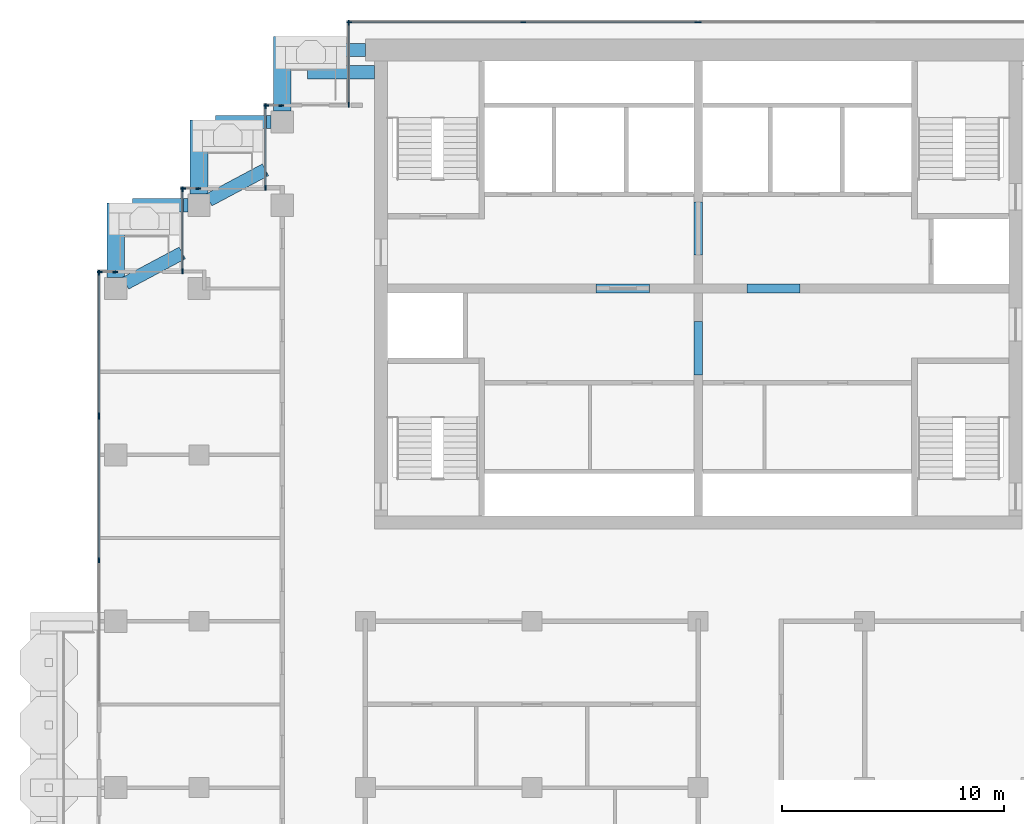
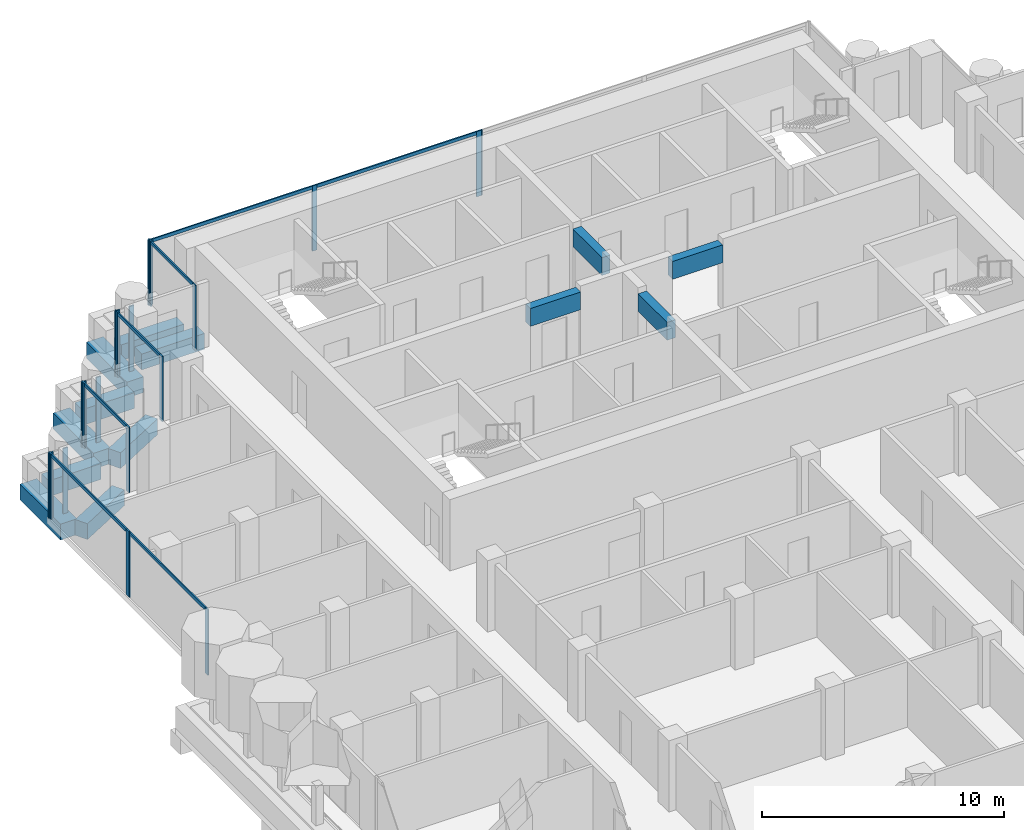
# One storey, part 5 of 19: 27 members, 13 beams, 10 elements without a shape of their own.
"""IFC4 building model written with IfcOpenShell, lengths in metres."""

from ifc_helpers import new_model, si_unit, direction, frame, origin, origin_2d, place, context, subcontext, project, spatial, rectangle, extrude, material, material_profile, profile_set, type_object, element, aggregate, save


model = new_model("IFC4")

# Units and contexts
model_context = context("Model", 3, precision=1e-05, world=origin(), true_north=direction((0.0, 1.0)))
body_context = subcontext(model_context, "Body", "Model", "MODEL_VIEW")
ifc_project = project(units=[si_unit("LENGTHUNIT", "METRE"), si_unit("AREAUNIT", "SQUARE_METRE"), si_unit("VOLUMEUNIT", "CUBIC_METRE"), si_unit("PLANEANGLEUNIT", "RADIAN"), si_unit("MASSUNIT", "GRAM", prefix="KILO")], contexts=[model_context])

# Site, building, storey
site_placement = place(None, origin())
site = spatial("IfcSite", under=ifc_project, at=site_placement, CompositionType="ELEMENT")
building_placement = place(site_placement, origin())
building = spatial("IfcBuilding", under=site, at=building_placement, Name="Pilkhan Gate Tower", CompositionType="ELEMENT")
storey_placement = place(building_placement, frame((0.0, 0.0, 224.699951171875)))
storey = spatial("IfcBuildingStorey", under=building, at=storey_placement, Name="L58", CompositionType="ELEMENT", Elevation=224.699951171875)

# Beams
ifc_material_1 = material(Name="Concrete C50/60", Category="concrete")
ifc_material_profile_1 = material_profile(ifc_material_1, rectangle(XDim=0.60009765625, YDim=0.800048828125, at=origin_2d()), Name="RC 600x800")
ifc_profile_set_1 = profile_set([ifc_material_profile_1], Name="Concrete C50/60")
beam_type_1 = type_object("IfcBeamType", Name="Cantilever beam CB1 RC 600x800 C50/60", PredefinedType="BEAM", material=ifc_profile_set_1)
for number, where, z_axis, x_axis, name in (
    (1, (60.0, 93.25, -0.699951171875), (-1.0, 0.0, 0.0), (0.0, -1.0, 0.0), "Balcony beam NW.2 L58"),
    (2, (60.39990234375, 92.25, -0.699951171875), (-1.0, 0.0, 0.0), (0.0, -1.0, 0.0), "Balcony beam NW.3 L58"),
):
    element("IfcBeam", number, at=place(storey_placement, frame(where, z_axis=z_axis, x_axis=x_axis)), inside=storey, type_object=beam_type_1, Name=name, PredefinedType="BEAM", context=body_context, shape_type="SweptSolid", body=[
        extrude(rectangle(XDim=0.60009765625, YDim=0.800048828125, at=origin_2d()), origin(), (0.0, 0.0, 1.0), 3.0),
    ])
beam_1_placement = place(storey_placement, frame((55.75, 90.0, -0.699951171875), z_axis=(-1.0, 0.0, 0.0), x_axis=(0.0, -1.0, 0.0)))
element("IfcBeam", 3, at=beam_1_placement, inside=storey, type_object=beam_type_1, Name="Balcony beam NW1.2 L58", PredefinedType="BEAM", context=body_context, shape_type="SweptSolid", body=[
    extrude(rectangle(XDim=0.60009765625, YDim=0.800048828125, at=origin_2d()), origin(), (0.0, 0.0, 1.0), 2.5),
])
beam_2_placement = place(storey_placement, frame((52.941162109375, 86.4853515625, -0.699951171875), z_axis=(0.882348280344, 0.470596974251, 0.0), x_axis=(-0.470596974251, 0.882348280344, 0.0)))
element("IfcBeam", 4, at=beam_2_placement, inside=storey, type_object=beam_type_1, Name="Balcony beam NW1.3 L58", PredefinedType="BEAM", context=body_context, shape_type="SweptSolid", body=[
    extrude(rectangle(XDim=0.60009765625, YDim=0.800048828125, at=origin_2d()), origin(), (0.0, 0.0, 1.0), 2.900146484375),
])
beam_3_placement = place(storey_placement, frame((52.0, 86.25, -0.699951171875), z_axis=(-1.0, 0.0, 0.0), x_axis=(0.0, -1.0, 0.0)))
element("IfcBeam", 5, at=beam_3_placement, inside=storey, type_object=beam_type_1, Name="Balcony beam NW2.2 L58", PredefinedType="BEAM", context=body_context, shape_type="SweptSolid", body=[
    extrude(rectangle(XDim=0.60009765625, YDim=0.800048828125, at=origin_2d()), origin(), (0.0, 0.0, 1.0), 2.5),
])
beam_4_placement = place(storey_placement, frame((49.191162109375, 82.7353515625, -0.699951171875), z_axis=(0.882348280344, 0.470596974251, 0.0), x_axis=(-0.470596974251, 0.882348280344, 0.0)))
element("IfcBeam", 6, at=beam_4_placement, inside=storey, type_object=beam_type_1, Name="Balcony beam NW2.3 L58", PredefinedType="BEAM", context=body_context, shape_type="SweptSolid", body=[
    extrude(rectangle(XDim=0.60009765625, YDim=0.800048828125, at=origin_2d()), origin(), (0.0, 0.0, 1.0), 2.900146484375),
])
ifc_material_profile_2 = material_profile(ifc_material_1, rectangle(XDim=0.800048828125, YDim=0.800048828125, at=origin_2d()), Name="RC 800x800")
ifc_profile_set_2 = profile_set([ifc_material_profile_2], Name="Concrete C50/60")
beam_type_2 = type_object("IfcBeamType", Name="Cantilever beam CB2 RC 800x800 C50/60", PredefinedType="BEAM", material=ifc_profile_set_2)
for number, where, z_axis, x_axis, name in (
    (7, (56.25, 90.5, -0.699951171875), (0.0, 1.0, 0.0), (-1.0, 0.0, 0.0), "Balcony beam NW.1 L58"),
    (8, (52.5, 86.75, -0.699951171875), (0.0, 1.0, 0.0), (-1.0, 0.0, 0.0), "Balcony beam NW1.1 L58"),
    (9, (48.75, 83.0, -0.699951171875), (0.0, 1.0, 0.0), (-1.0, 0.0, 0.0), "Balcony beam NW2.1 L58"),
):
    element("IfcBeam", number, at=place(storey_placement, frame(where, z_axis=z_axis, x_axis=x_axis)), inside=storey, type_object=beam_type_2, Name=name, PredefinedType="BEAM", context=body_context, shape_type="SweptSolid", body=[
        extrude(rectangle(XDim=0.800048828125, YDim=0.800048828125, at=origin_2d()), origin(), (0.0, 0.0, 1.0), 3.35009765625),
    ])
ifc_material_profile_3 = material_profile(ifc_material_1, rectangle(XDim=0.39990234375, YDim=0.89990234375, at=origin_2d()), Name="RC 400x900")
ifc_profile_set_3 = profile_set([ifc_material_profile_3], Name="Concrete C50/60")
beam_type_3 = type_object("IfcBeamType", Name="Coupling beam CB90-4 RC 400x900 C50/60", PredefinedType="LINTEL", material=ifc_profile_set_3)
for number, where, z_axis, x_axis, name in (
    (10, (70.39990234375, 82.5, 2.85009765625), (1.0, 0.0, 0.0), (0.0, 1.0, 0.0), "Coupling beam 1 L58"),
    (11, (77.199951171875, 82.5, 2.85009765625), (1.0, 0.0, 0.0), (0.0, 1.0, 0.0), "Coupling beam 2 L58"),
):
    element("IfcBeam", number, at=place(storey_placement, frame(where, z_axis=z_axis, x_axis=x_axis)), inside=storey, type_object=beam_type_3, Name=name, PredefinedType="LINTEL", context=body_context, shape_type="SweptSolid", body=[
        extrude(rectangle(XDim=0.39990234375, YDim=0.89990234375, at=origin_2d()), origin(), (0.0, 0.0, 1.0), 2.400146484375),
    ])
for number, where, z_axis, x_axis, name in (
    (12, (75.0, 78.60009765625, 2.85009765625), (0.0, 1.0, 0.0), (-1.0, 0.0, 0.0), "Coupling beam 3 L58"),
    (13, (75.0, 84.0, 2.85009765625), (0.0, 1.0, 0.0), (-1.0, 0.0, 0.0), "Coupling beam 4 L58"),
):
    element("IfcBeam", number, at=place(storey_placement, frame(where, z_axis=z_axis, x_axis=x_axis)), inside=storey, type_object=beam_type_3, Name=name, PredefinedType="LINTEL", context=body_context, shape_type="SweptSolid", body=[
        extrude(rectangle(XDim=0.39990234375, YDim=0.89990234375, at=origin_2d()), origin(), (0.0, 0.0, 1.0), 2.39990234375),
    ])

# Curtain wall, members
ifc_material_2 = material(Name="Pale anodised aluminium, clear low-iron double glazing", Category="aluminium")
curtain_wall_type = type_object("IfcCurtainWallType", Name="Office unitised curtain wall CW-O2", PredefinedType="USERDEFINED", material=ifc_material_2)
curtain_wall_1_placement = place(storey_placement, origin())
curtain_wall_1 = element("IfcCurtainWall", 14, at=curtain_wall_1_placement, inside=storey, type_object=curtain_wall_type, Name="Office unitised curtain wall CW-O2 L58 N", ObjectType="UNITISED CURTAIN WALL", PredefinedType="USERDEFINED")
ifc_material_3 = material(Name="Pale anodised aluminium", Category="aluminium")
ifc_material_profile_4 = material_profile(ifc_material_3, rectangle(XDim=0.06494140625, YDim=0.22509765625, at=origin_2d()), Name="Mullion 225x65")
ifc_profile_set_4 = profile_set([ifc_material_profile_4], Name="Pale anodised aluminium")
member_type_1 = type_object("IfcMemberType", Name="Mullion CW-O2 225x65", PredefinedType="MULLION", material=ifc_profile_set_4)
member_1_placement = place(storey_placement, frame((59.282470703125, 94.5, 0.0), z_axis=(0.0, 0.0, 1.0), x_axis=(0.0, 1.0, 0.0)))
member_1 = element("IfcMember", 15, at=member_1_placement, type_object=member_type_1, Name="CW-O2 mullion 1", PredefinedType="MULLION", context=body_context, shape_type="SweptSolid", body=[
    extrude(rectangle(XDim=0.06494140625, YDim=0.22509765625, at=origin_2d()), origin(), (0.0, 0.0, 1.0), 3.300048828125),
])
member_2_placement = place(storey_placement, frame((67.125, 94.5, 0.0), z_axis=(0.0, 0.0, 1.0), x_axis=(0.0, 1.0, 0.0)))
member_2 = element("IfcMember", 16, at=member_2_placement, type_object=member_type_1, Name="CW-O2 mullion 2", PredefinedType="MULLION", context=body_context, shape_type="SweptSolid", body=[
    extrude(rectangle(XDim=0.06494140625, YDim=0.22509765625, at=origin_2d()), origin(), (0.0, 0.0, 1.0), 3.300048828125),
])
member_3_placement = place(storey_placement, frame((74.967529296875, 94.5, 0.0), z_axis=(0.0, 0.0, 1.0), x_axis=(0.0, 1.0, 0.0)))
member_3 = element("IfcMember", 17, at=member_3_placement, type_object=member_type_1, Name="CW-O2 mullion 3", PredefinedType="MULLION", context=body_context, shape_type="SweptSolid", body=[
    extrude(rectangle(XDim=0.06494140625, YDim=0.22509765625, at=origin_2d()), origin(), (0.0, 0.0, 1.0), 3.300048828125),
])

# Curtain wall, member
curtain_wall_2_placement = place(storey_placement, origin())
curtain_wall_2 = element("IfcCurtainWall", 18, at=curtain_wall_2_placement, inside=storey, type_object=curtain_wall_type, Name="Office unitised curtain wall CW-O2 L58 N", ObjectType="UNITISED CURTAIN WALL", PredefinedType="USERDEFINED")
member_4_placement = place(storey_placement, frame((75.032470703125, 94.5, 0.0), z_axis=(0.0, 0.0, 1.0), x_axis=(0.0, 1.0, 0.0)))
member_4 = element("IfcMember", 19, at=member_4_placement, type_object=member_type_1, Name="CW-O2 mullion 1", PredefinedType="MULLION", context=body_context, shape_type="SweptSolid", body=[
    extrude(rectangle(XDim=0.06494140625, YDim=0.22509765625, at=origin_2d()), origin(), (0.0, 0.0, 1.0), 3.300048828125),
])
aggregate(curtain_wall_2, [member_4])

# Curtain wall, members
curtain_wall_3_placement = place(storey_placement, origin())
curtain_wall_3 = element("IfcCurtainWall", 20, at=curtain_wall_3_placement, inside=storey, type_object=curtain_wall_type, Name="Office unitised curtain wall CW-O2 L58 W", ObjectType="UNITISED CURTAIN WALL", PredefinedType="USERDEFINED")
member_5_placement = place(storey_placement, frame((59.25, 90.782470703125, 0.0), z_axis=(0.0, 0.0, 1.0), x_axis=(-1.0, 0.0, 0.0)))
member_5 = element("IfcMember", 21, at=member_5_placement, type_object=member_type_1, Name="CW-O2 mullion 1", PredefinedType="MULLION", context=body_context, shape_type="SweptSolid", body=[
    extrude(rectangle(XDim=0.06494140625, YDim=0.22509765625, at=origin_2d()), origin(), (0.0, 0.0, 1.0), 3.300048828125),
])
member_6_placement = place(storey_placement, frame((59.25, 94.467529296875, 0.0), z_axis=(0.0, 0.0, 1.0), x_axis=(-1.0, 0.0, 0.0)))
member_6 = element("IfcMember", 22, at=member_6_placement, type_object=member_type_1, Name="CW-O2 mullion 2", PredefinedType="MULLION", context=body_context, shape_type="SweptSolid", body=[
    extrude(rectangle(XDim=0.06494140625, YDim=0.22509765625, at=origin_2d()), origin(), (0.0, 0.0, 1.0), 3.300048828125),
])

curtain_wall_4_placement = place(storey_placement, origin())
curtain_wall_4 = element("IfcCurtainWall", 23, at=curtain_wall_4_placement, inside=storey, type_object=curtain_wall_type, Name="Office unitised curtain wall CW-O2 L58 N", ObjectType="UNITISED CURTAIN WALL", PredefinedType="USERDEFINED")
member_7_placement = place(storey_placement, frame((55.532470703125, 90.75, 0.0), z_axis=(0.0, 0.0, 1.0), x_axis=(0.0, 1.0, 0.0)))
member_7 = element("IfcMember", 24, at=member_7_placement, type_object=member_type_1, Name="CW-O2 mullion 1", PredefinedType="MULLION", context=body_context, shape_type="SweptSolid", body=[
    extrude(rectangle(XDim=0.06494140625, YDim=0.22509765625, at=origin_2d()), origin(), (0.0, 0.0, 1.0), 3.300048828125),
])
member_8_placement = place(storey_placement, frame((56.217529296875, 90.75, 0.0), z_axis=(0.0, 0.0, 1.0), x_axis=(0.0, 1.0, 0.0)))
member_8 = element("IfcMember", 25, at=member_8_placement, type_object=member_type_1, Name="CW-O2 mullion 2", PredefinedType="MULLION", context=body_context, shape_type="SweptSolid", body=[
    extrude(rectangle(XDim=0.06494140625, YDim=0.22509765625, at=origin_2d()), origin(), (0.0, 0.0, 1.0), 3.300048828125),
])
aggregate(curtain_wall_4, [member_7, member_8])

curtain_wall_5_placement = place(storey_placement, origin())
curtain_wall_5 = element("IfcCurtainWall", 26, at=curtain_wall_5_placement, inside=storey, type_object=curtain_wall_type, Name="Office unitised curtain wall CW-O2 L58 W", ObjectType="UNITISED CURTAIN WALL", PredefinedType="USERDEFINED")
member_9_placement = place(storey_placement, frame((55.5, 87.032470703125, 0.0), z_axis=(0.0, 0.0, 1.0), x_axis=(-1.0, 0.0, 0.0)))
member_9 = element("IfcMember", 27, at=member_9_placement, type_object=member_type_1, Name="CW-O2 mullion 1", PredefinedType="MULLION", context=body_context, shape_type="SweptSolid", body=[
    extrude(rectangle(XDim=0.06494140625, YDim=0.22509765625, at=origin_2d()), origin(), (0.0, 0.0, 1.0), 3.300048828125),
])
member_10_placement = place(storey_placement, frame((55.5, 90.717529296875, 0.0), z_axis=(0.0, 0.0, 1.0), x_axis=(-1.0, 0.0, 0.0)))
member_10 = element("IfcMember", 28, at=member_10_placement, type_object=member_type_1, Name="CW-O2 mullion 2", PredefinedType="MULLION", context=body_context, shape_type="SweptSolid", body=[
    extrude(rectangle(XDim=0.06494140625, YDim=0.22509765625, at=origin_2d()), origin(), (0.0, 0.0, 1.0), 3.300048828125),
])

curtain_wall_6_placement = place(storey_placement, origin())
curtain_wall_6 = element("IfcCurtainWall", 29, at=curtain_wall_6_placement, inside=storey, type_object=curtain_wall_type, Name="Office unitised curtain wall CW-O2 L58 N", ObjectType="UNITISED CURTAIN WALL", PredefinedType="USERDEFINED")
member_11_placement = place(storey_placement, frame((51.782470703125, 87.0, 0.0), z_axis=(0.0, 0.0, 1.0), x_axis=(0.0, 1.0, 0.0)))
member_11 = element("IfcMember", 30, at=member_11_placement, type_object=member_type_1, Name="CW-O2 mullion 1", PredefinedType="MULLION", context=body_context, shape_type="SweptSolid", body=[
    extrude(rectangle(XDim=0.06494140625, YDim=0.22509765625, at=origin_2d()), origin(), (0.0, 0.0, 1.0), 3.300048828125),
])
member_12_placement = place(storey_placement, frame((52.467529296875, 87.0, 0.0), z_axis=(0.0, 0.0, 1.0), x_axis=(0.0, 1.0, 0.0)))
member_12 = element("IfcMember", 31, at=member_12_placement, type_object=member_type_1, Name="CW-O2 mullion 2", PredefinedType="MULLION", context=body_context, shape_type="SweptSolid", body=[
    extrude(rectangle(XDim=0.06494140625, YDim=0.22509765625, at=origin_2d()), origin(), (0.0, 0.0, 1.0), 3.300048828125),
])
aggregate(curtain_wall_6, [member_11, member_12])

curtain_wall_7_placement = place(storey_placement, origin())
curtain_wall_7 = element("IfcCurtainWall", 32, at=curtain_wall_7_placement, inside=storey, type_object=curtain_wall_type, Name="Office unitised curtain wall CW-O2 L58 W", ObjectType="UNITISED CURTAIN WALL", PredefinedType="USERDEFINED")
member_13_placement = place(storey_placement, frame((51.75, 83.282470703125, 0.0), z_axis=(0.0, 0.0, 1.0), x_axis=(-1.0, 0.0, 0.0)))
member_13 = element("IfcMember", 33, at=member_13_placement, type_object=member_type_1, Name="CW-O2 mullion 1", PredefinedType="MULLION", context=body_context, shape_type="SweptSolid", body=[
    extrude(rectangle(XDim=0.06494140625, YDim=0.22509765625, at=origin_2d()), origin(), (0.0, 0.0, 1.0), 3.300048828125),
])
member_14_placement = place(storey_placement, frame((51.75, 86.967529296875, 0.0), z_axis=(0.0, 0.0, 1.0), x_axis=(-1.0, 0.0, 0.0)))
member_14 = element("IfcMember", 34, at=member_14_placement, type_object=member_type_1, Name="CW-O2 mullion 2", PredefinedType="MULLION", context=body_context, shape_type="SweptSolid", body=[
    extrude(rectangle(XDim=0.06494140625, YDim=0.22509765625, at=origin_2d()), origin(), (0.0, 0.0, 1.0), 3.300048828125),
])

curtain_wall_8_placement = place(storey_placement, origin())
curtain_wall_8 = element("IfcCurtainWall", 35, at=curtain_wall_8_placement, inside=storey, type_object=curtain_wall_type, Name="Office unitised curtain wall CW-O2 L58 N", ObjectType="UNITISED CURTAIN WALL", PredefinedType="USERDEFINED")
member_15_placement = place(storey_placement, frame((48.032470703125, 83.25, 0.0), z_axis=(0.0, 0.0, 1.0), x_axis=(0.0, 1.0, 0.0)))
member_15 = element("IfcMember", 36, at=member_15_placement, type_object=member_type_1, Name="CW-O2 mullion 1", PredefinedType="MULLION", context=body_context, shape_type="SweptSolid", body=[
    extrude(rectangle(XDim=0.06494140625, YDim=0.22509765625, at=origin_2d()), origin(), (0.0, 0.0, 1.0), 3.300048828125),
])
member_16_placement = place(storey_placement, frame((48.717529296875, 83.25, 0.0), z_axis=(0.0, 0.0, 1.0), x_axis=(0.0, 1.0, 0.0)))
member_16 = element("IfcMember", 37, at=member_16_placement, type_object=member_type_1, Name="CW-O2 mullion 2", PredefinedType="MULLION", context=body_context, shape_type="SweptSolid", body=[
    extrude(rectangle(XDim=0.06494140625, YDim=0.22509765625, at=origin_2d()), origin(), (0.0, 0.0, 1.0), 3.300048828125),
])
aggregate(curtain_wall_8, [member_15, member_16])

curtain_wall_9_placement = place(storey_placement, origin())
curtain_wall_9 = element("IfcCurtainWall", 38, at=curtain_wall_9_placement, inside=storey, type_object=curtain_wall_type, Name="Office unitised curtain wall CW-O2 L58 W", ObjectType="UNITISED CURTAIN WALL", PredefinedType="USERDEFINED")
member_17_placement = place(storey_placement, frame((48.0, 70.25, 0.0), z_axis=(0.0, 0.0, 1.0), x_axis=(-1.0, 0.0, 0.0)))
member_17 = element("IfcMember", 39, at=member_17_placement, type_object=member_type_1, Name="CW-O2 mullion 2", PredefinedType="MULLION", context=body_context, shape_type="SweptSolid", body=[
    extrude(rectangle(XDim=0.06494140625, YDim=0.22509765625, at=origin_2d()), origin(), (0.0, 0.0, 1.0), 3.300048828125),
])
member_18_placement = place(storey_placement, frame((48.0, 76.717529296875, 0.0), z_axis=(0.0, 0.0, 1.0), x_axis=(-1.0, 0.0, 0.0)))
member_18 = element("IfcMember", 40, at=member_18_placement, type_object=member_type_1, Name="CW-O2 mullion 3", PredefinedType="MULLION", context=body_context, shape_type="SweptSolid", body=[
    extrude(rectangle(XDim=0.06494140625, YDim=0.22509765625, at=origin_2d()), origin(), (0.0, 0.0, 1.0), 3.300048828125),
])

curtain_wall_10_placement = place(storey_placement, origin())
curtain_wall_10 = element("IfcCurtainWall", 41, at=curtain_wall_10_placement, inside=storey, type_object=curtain_wall_type, Name="Office unitised curtain wall CW-O2 L58 W", ObjectType="UNITISED CURTAIN WALL", PredefinedType="USERDEFINED")
member_19_placement = place(storey_placement, frame((48.0, 76.782470703125, 0.0), z_axis=(0.0, 0.0, 1.0), x_axis=(-1.0, 0.0, 0.0)))
member_19 = element("IfcMember", 42, at=member_19_placement, type_object=member_type_1, Name="CW-O2 mullion 1", PredefinedType="MULLION", context=body_context, shape_type="SweptSolid", body=[
    extrude(rectangle(XDim=0.06494140625, YDim=0.22509765625, at=origin_2d()), origin(), (0.0, 0.0, 1.0), 3.300048828125),
])
member_20_placement = place(storey_placement, frame((48.0, 83.217529296875, 0.0), z_axis=(0.0, 0.0, 1.0), x_axis=(-1.0, 0.0, 0.0)))
member_20 = element("IfcMember", 43, at=member_20_placement, type_object=member_type_1, Name="CW-O2 mullion 2", PredefinedType="MULLION", context=body_context, shape_type="SweptSolid", body=[
    extrude(rectangle(XDim=0.06494140625, YDim=0.22509765625, at=origin_2d()), origin(), (0.0, 0.0, 1.0), 3.300048828125),
])

# Member
ifc_material_profile_5 = material_profile(ifc_material_3, rectangle(XDim=0.06494140625, YDim=0.1650390625, at=origin_2d()), Name="Transom 165x65")
ifc_profile_set_5 = profile_set([ifc_material_profile_5], Name="Pale anodised aluminium")
member_type_2 = type_object("IfcMemberType", Name="Transom CW-O2 165x65", PredefinedType="USERDEFINED", material=ifc_profile_set_5)
member_21_placement = place(storey_placement, frame((59.31494140625, 94.5, 3.217529296875), z_axis=(1.0, 0.0, 0.0), x_axis=(0.0, 1.0, 0.0)))
member_21 = element("IfcMember", 44, at=member_21_placement, type_object=member_type_2, Name="CW-O2 transom 1", ObjectType="TRANSOM", PredefinedType="USERDEFINED", context=body_context, shape_type="SweptSolid", body=[
    extrude(rectangle(XDim=0.06494140625, YDim=0.1650390625, at=origin_2d()), origin(), (0.0, 0.0, 1.0), 7.777587890625),
])

member_22_placement = place(storey_placement, frame((67.157470703125, 94.5, 3.217529296875), z_axis=(1.0, 0.0, 0.0), x_axis=(0.0, 1.0, 0.0)))
member_22 = element("IfcMember", 45, at=member_22_placement, type_object=member_type_2, Name="CW-O2 transom 2", ObjectType="TRANSOM", PredefinedType="USERDEFINED", context=body_context, shape_type="SweptSolid", body=[
    extrude(rectangle(XDim=0.06494140625, YDim=0.1650390625, at=origin_2d()), origin(), (0.0, 0.0, 1.0), 7.777587890625),
])

aggregate(curtain_wall_1, [member_1, member_2, member_3, member_21, member_22])

member_23_placement = place(storey_placement, frame((59.25, 90.81494140625, 3.217529296875), z_axis=(0.0, 1.0, 0.0), x_axis=(-1.0, 0.0, 0.0)))
member_23 = element("IfcMember", 46, at=member_23_placement, type_object=member_type_2, Name="CW-O2 transom 1", ObjectType="TRANSOM", PredefinedType="USERDEFINED", context=body_context, shape_type="SweptSolid", body=[
    extrude(rectangle(XDim=0.06494140625, YDim=0.1650390625, at=origin_2d()), origin(), (0.0, 0.0, 1.0), 3.6201171875),
])

aggregate(curtain_wall_3, [member_5, member_6, member_23])

member_24_placement = place(storey_placement, frame((55.5, 87.06494140625, 3.217529296875), z_axis=(0.0, 1.0, 0.0), x_axis=(-1.0, 0.0, 0.0)))
member_24 = element("IfcMember", 47, at=member_24_placement, type_object=member_type_2, Name="CW-O2 transom 1", ObjectType="TRANSOM", PredefinedType="USERDEFINED", context=body_context, shape_type="SweptSolid", body=[
    extrude(rectangle(XDim=0.06494140625, YDim=0.1650390625, at=origin_2d()), origin(), (0.0, 0.0, 1.0), 3.6201171875),
])

aggregate(curtain_wall_5, [member_9, member_10, member_24])

member_25_placement = place(storey_placement, frame((51.75, 83.31494140625, 3.217529296875), z_axis=(0.0, 1.0, 0.0), x_axis=(-1.0, 0.0, 0.0)))
member_25 = element("IfcMember", 48, at=member_25_placement, type_object=member_type_2, Name="CW-O2 transom 1", ObjectType="TRANSOM", PredefinedType="USERDEFINED", context=body_context, shape_type="SweptSolid", body=[
    extrude(rectangle(XDim=0.06494140625, YDim=0.1650390625, at=origin_2d()), origin(), (0.0, 0.0, 1.0), 3.6201171875),
])

aggregate(curtain_wall_7, [member_13, member_14, member_25])

member_26_placement = place(storey_placement, frame((48.0, 70.282470703125, 3.217529296875), z_axis=(0.0, 1.0, 0.0), x_axis=(-1.0, 0.0, 0.0)))
member_26 = element("IfcMember", 49, at=member_26_placement, type_object=member_type_2, Name="CW-O2 transom 2", ObjectType="TRANSOM", PredefinedType="USERDEFINED", context=body_context, shape_type="SweptSolid", body=[
    extrude(rectangle(XDim=0.06494140625, YDim=0.1650390625, at=origin_2d()), origin(), (0.0, 0.0, 1.0), 6.402587890625),
])

aggregate(curtain_wall_9, [member_17, member_18, member_26])

member_27_placement = place(storey_placement, frame((48.0, 76.81494140625, 3.217529296875), z_axis=(0.0, 1.0, 0.0), x_axis=(-1.0, 0.0, 0.0)))
member_27 = element("IfcMember", 50, at=member_27_placement, type_object=member_type_2, Name="CW-O2 transom 1", ObjectType="TRANSOM", PredefinedType="USERDEFINED", context=body_context, shape_type="SweptSolid", body=[
    extrude(rectangle(XDim=0.06494140625, YDim=0.1650390625, at=origin_2d()), origin(), (0.0, 0.0, 1.0), 6.3701171875),
])

aggregate(curtain_wall_10, [member_19, member_20, member_27])

save(model, "model.ifc")
